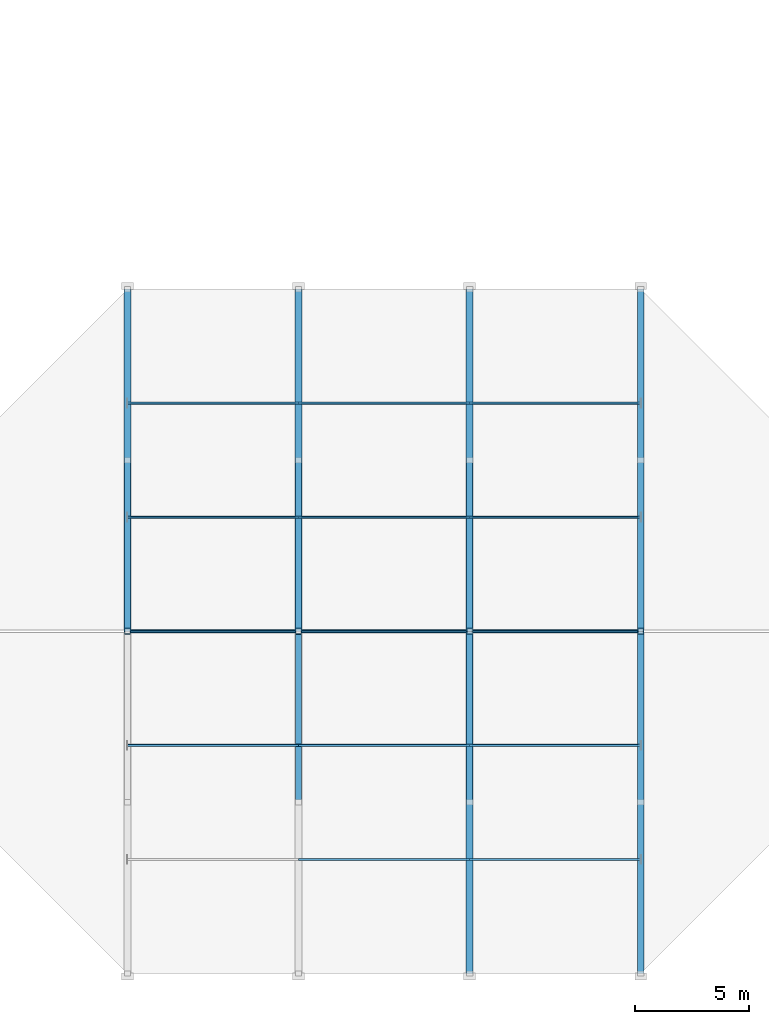
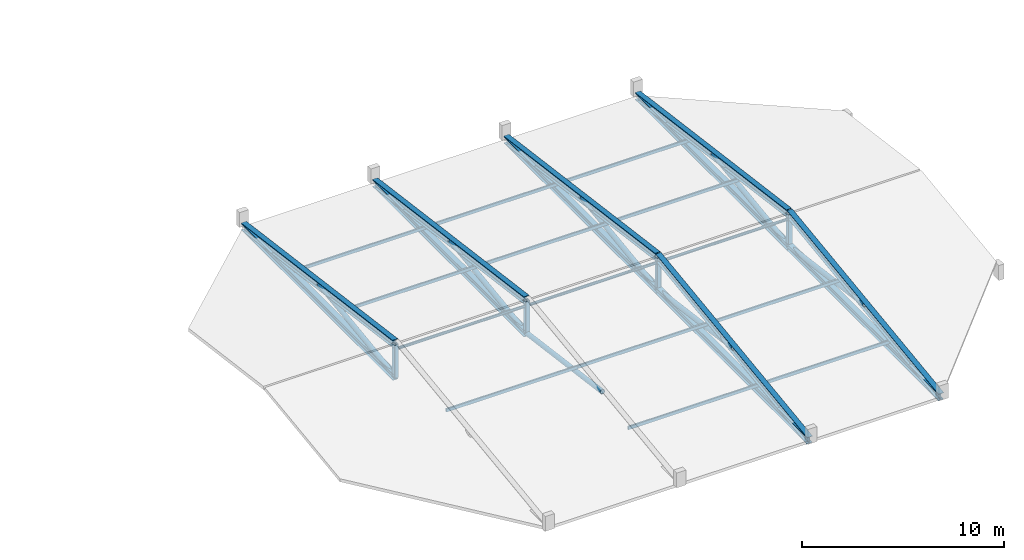
# One storey, part 56 of 101: 37 members.
"""IFC4 building model written with IfcOpenShell, lengths in metres."""

from ifc_helpers import new_model, si_unit, direction, frame, origin, origin_2d, place, context, subcontext, project, spatial, hollow_rectangle, hollow_circle, i_section, extrude, material, material_profile, profile_set, type_object, element, save


model = new_model("IFC4")

# Units and contexts
model_context = context("Model", 3, precision=1e-05, world=origin(), true_north=direction((0.0, 1.0)))
body_context = subcontext(model_context, "Body", "Model", "MODEL_VIEW")
ifc_project = project(units=[si_unit("LENGTHUNIT", "METRE"), si_unit("AREAUNIT", "SQUARE_METRE"), si_unit("VOLUMEUNIT", "CUBIC_METRE"), si_unit("PLANEANGLEUNIT", "RADIAN"), si_unit("MASSUNIT", "GRAM", prefix="KILO")], contexts=[model_context])

# Site, building, storey
site_placement = place(None, origin())
site = spatial("IfcSite", under=ifc_project, at=site_placement, CompositionType="ELEMENT")
building_placement = place(site_placement, origin())
building = spatial("IfcBuilding", under=site, at=building_placement, Name="Qasida Concert Hall", CompositionType="ELEMENT")
storey_placement = place(building_placement, frame((0.0, 0.0, 13.199951171875)))
storey = spatial("IfcBuildingStorey", under=building, at=storey_placement, Name="L03", CompositionType="ELEMENT", Elevation=13.199951171875)

# Members
ifc_material = material(Name="Steel S355J2", Category="steel")
ifc_material_profile_1 = material_profile(ifc_material, hollow_circle(Radius=0.136474609375, WallThickness=0.012451171875, at=origin_2d()), Name="CHS 273x12.5")
ifc_profile_set_1 = profile_set([ifc_material_profile_1], Name="Steel S355J2")
member_type_1 = type_object("IfcMemberType", Name="MB-BR5", PredefinedType="BRACE", material=ifc_profile_set_1)
for number, where, z_axis, x_axis, name in (
    (1, (135.0, 15.0, 0.0), (0.0, 0.991227900683, 0.132163720091), (-1.0, 0.0, 0.0), "Roof truss web V2T-007"),
    (2, (142.5, 15.0, 0.0), (0.0, -0.991227900683, 0.132163720091), (1.0, 0.0, 0.0), "Roof truss web V2T-013"),
    (3, (142.5, 15.0, 0.0), (0.0, 0.991227900683, 0.132163720091), (-1.0, 0.0, 0.0), "Roof truss web V2T-014"),
    (4, (150.0, 15.0, 0.0), (0.0, -0.991227900683, 0.132163720091), (1.0, 0.0, 0.0), "Roof truss web V2T-020"),
    (5, (150.0, 15.0, 0.0), (0.0, 0.991227900683, 0.132163720091), (-1.0, 0.0, 0.0), "Roof truss web V2T-021"),
    (6, (157.5, 15.0, 0.0), (0.0, -0.991227900683, 0.132163720091), (1.0, 0.0, 0.0), "Roof truss web V2T-027"),
    (7, (157.5, 15.0, 0.0), (0.0, 0.991227900683, 0.132163720091), (-1.0, 0.0, 0.0), "Roof truss web V2T-028"),
):
    element("IfcMember", number, at=place(storey_placement, frame(where, z_axis=z_axis, x_axis=x_axis)), inside=storey, type_object=member_type_1, Name=name, PredefinedType="BRACE", context=body_context, shape_type="SweptSolid", body=[
        extrude(hollow_circle(Radius=0.136474609375, WallThickness=0.012451171875, at=origin_2d()), origin(), (0.0, 0.0, 1.0), 7.56640625),
    ])
ifc_material_profile_2 = material_profile(ifc_material, i_section(OverallWidth=0.300048828125, OverallDepth=0.389892578125, WebThickness=0.010986328125, FlangeThickness=0.01904296875, FilletRadius=0.027099609375, at=origin_2d()), Name="HEA 400")
ifc_profile_set_2 = profile_set([ifc_material_profile_2], Name="Steel S355J2")
member_type_2 = type_object("IfcMemberType", Name="MB-CH2", PredefinedType="CHORD", material=ifc_profile_set_2)
for number, where, z_axis, x_axis, name in (
    (8, (135.0, 15.0, 0.0), (0.0, 1.0, 0.0), (-1.0, 0.0, 0.0), "Roof truss bottom chord V2T-002"),
    (9, (142.5, 15.0, 0.0), (0.0, 1.0, 0.0), (-1.0, 0.0, 0.0), "Roof truss bottom chord V2T-009"),
    (10, (150.0, 0.0, 0.0), (0.0, 1.0, 0.0), (-1.0, 0.0, 0.0), "Roof truss bottom chord V2T-015"),
    (11, (150.0, 15.0, 0.0), (0.0, 1.0, 0.0), (-1.0, 0.0, 0.0), "Roof truss bottom chord V2T-016"),
    (12, (157.5, 0.0, 0.0), (0.0, 1.0, 0.0), (-1.0, 0.0, 0.0), "Roof truss bottom chord V2T-022"),
    (13, (157.5, 15.0, 0.0), (0.0, 1.0, 0.0), (-1.0, 0.0, 0.0), "Roof truss bottom chord V2T-023"),
):
    element("IfcMember", number, at=place(storey_placement, frame(where, z_axis=z_axis, x_axis=x_axis)), inside=storey, type_object=member_type_2, Name=name, PredefinedType="CHORD", context=body_context, shape_type="SweptSolid", body=[
        extrude(i_section(OverallWidth=0.300048828125, OverallDepth=0.389892578125, WebThickness=0.010986328125, FlangeThickness=0.01904296875, FilletRadius=0.027099609375, at=origin_2d()), origin(), (0.0, 0.0, 1.0), 15.0),
    ])
ifc_material_profile_3 = material_profile(ifc_material, i_section(OverallWidth=0.300048828125, OverallDepth=0.43994140625, WebThickness=0.011474609375, FlangeThickness=0.02099609375, FilletRadius=0.027099609375, at=origin_2d()), Name="HEA 450")
ifc_profile_set_3 = profile_set([ifc_material_profile_3], Name="Steel S355J2")
member_type_3 = type_object("IfcMemberType", Name="MB-CH6", PredefinedType="CHORD", material=ifc_profile_set_3)
for number, where, z_axis, x_axis, name in (
    (14, (135.0, 15.0, 2.0), (0.0, 0.991227900683, -0.132163720091), (-1.0, 0.0, 0.0), "Roof truss top chord V2T-004"),
    (15, (142.5, 15.0, 2.0), (0.0, 0.991227900683, -0.132163720091), (-1.0, 0.0, 0.0), "Roof truss top chord V2T-011"),
    (16, (150.0, 0.0, 0.0), (0.0, 0.991227900683, 0.132163720091), (-1.0, 0.0, 0.0), "Roof truss top chord V2T-017"),
    (17, (150.0, 15.0, 2.0), (0.0, 0.991227900683, -0.132163720091), (-1.0, 0.0, 0.0), "Roof truss top chord V2T-018"),
    (18, (157.5, 0.0, 0.0), (0.0, 0.991227900683, 0.132163720091), (-1.0, 0.0, 0.0), "Roof truss top chord V2T-024"),
    (19, (157.5, 15.0, 2.0), (0.0, 0.991227900683, -0.132163720091), (-1.0, 0.0, 0.0), "Roof truss top chord V2T-025"),
):
    element("IfcMember", number, at=place(storey_placement, frame(where, z_axis=z_axis, x_axis=x_axis)), inside=storey, type_object=member_type_3, Name=name, PredefinedType="CHORD", context=body_context, shape_type="SweptSolid", body=[
        extrude(i_section(OverallWidth=0.300048828125, OverallDepth=0.43994140625, WebThickness=0.011474609375, FlangeThickness=0.02099609375, FilletRadius=0.027099609375, at=origin_2d()), origin(), (0.0, 0.0, 1.0), 15.1328125),
    ])
ifc_material_profile_4 = material_profile(ifc_material, hollow_rectangle(XDim=0.10009765625, YDim=0.199951171875, WallThickness=0.008056640625, InnerFilletRadius=0.008056640625, OuterFilletRadius=0.01611328125, at=origin_2d()), Name="RHS 200x100x8")
ifc_profile_set_4 = profile_set([ifc_material_profile_4], Name="Steel S355J2")
member_type_4 = type_object("IfcMemberType", Name="MB-PR1", PredefinedType="PURLIN", material=ifc_profile_set_4)
for number, where, z_axis, x_axis, name in (
    (20, (142.5, 5.0, 0.32666015625), (1.0, 0.0, 0.0), (0.0, 1.0, 0.0), "Chamber roof purlin V2P-030"),
    (21, (150.0, 5.0, 0.32666015625), (1.0, 0.0, 0.0), (0.0, 1.0, 0.0), "Chamber roof purlin V2P-031"),
    (22, (135.0, 10.0, 0.993408203125), (1.0, 0.0, 0.0), (0.0, 1.0, 0.0), "Chamber roof purlin V2P-032"),
    (23, (142.5, 10.0, 0.993408203125), (1.0, 0.0, 0.0), (0.0, 1.0, 0.0), "Chamber roof purlin V2P-033"),
    (24, (150.0, 10.0, 0.993408203125), (1.0, 0.0, 0.0), (0.0, 1.0, 0.0), "Chamber roof purlin V2P-034"),
    (25, (135.0, 20.0, 0.993408203125), (1.0, 0.0, 0.0), (0.0, 1.0, 0.0), "Chamber roof purlin V2P-038"),
    (26, (142.5, 20.0, 0.993408203125), (1.0, 0.0, 0.0), (0.0, 1.0, 0.0), "Chamber roof purlin V2P-039"),
    (27, (150.0, 20.0, 0.993408203125), (1.0, 0.0, 0.0), (0.0, 1.0, 0.0), "Chamber roof purlin V2P-040"),
    (28, (135.0, 25.0, 0.32666015625), (1.0, 0.0, 0.0), (0.0, 1.0, 0.0), "Chamber roof purlin V2P-041"),
    (29, (142.5, 25.0, 0.32666015625), (1.0, 0.0, 0.0), (0.0, 1.0, 0.0), "Chamber roof purlin V2P-042"),
    (30, (150.0, 25.0, 0.32666015625), (1.0, 0.0, 0.0), (0.0, 1.0, 0.0), "Chamber roof purlin V2P-043"),
):
    element("IfcMember", number, at=place(storey_placement, frame(where, z_axis=z_axis, x_axis=x_axis)), inside=storey, type_object=member_type_4, Name=name, PredefinedType="PURLIN", context=body_context, shape_type="SweptSolid", body=[
        extrude(hollow_rectangle(XDim=0.10009765625, YDim=0.199951171875, WallThickness=0.008056640625, InnerFilletRadius=0.008056640625, OuterFilletRadius=0.01611328125, at=origin_2d()), origin(), (0.0, 0.0, 1.0), 7.5),
    ])
ifc_material_profile_5 = material_profile(ifc_material, hollow_circle(Radius=0.084228515625, WallThickness=0.008056640625, at=origin_2d()), Name="CHS 168.3x8")
ifc_profile_set_5 = profile_set([ifc_material_profile_5], Name="Steel S355J2")
member_type_5 = type_object("IfcMemberType", Name="MB-PR2", PredefinedType="PURLIN", material=ifc_profile_set_5)
for number, where, z_axis, x_axis, name in (
    (31, (135.0, 15.0, 1.66015625), (1.0, 0.0, 0.0), (0.0, 1.0, 0.0), "Chamber roof purlin V2P-035"),
    (32, (142.5, 15.0, 1.66015625), (1.0, 0.0, 0.0), (0.0, 1.0, 0.0), "Chamber roof purlin V2P-036"),
    (33, (150.0, 15.0, 1.66015625), (1.0, 0.0, 0.0), (0.0, 1.0, 0.0), "Chamber roof purlin V2P-037"),
):
    element("IfcMember", number, at=place(storey_placement, frame(where, z_axis=z_axis, x_axis=x_axis)), inside=storey, type_object=member_type_5, Name=name, PredefinedType="PURLIN", context=body_context, shape_type="SweptSolid", body=[
        extrude(hollow_circle(Radius=0.084228515625, WallThickness=0.008056640625, at=origin_2d()), origin(), (0.0, 0.0, 1.0), 7.5),
    ])
ifc_material_profile_6 = material_profile(ifc_material, hollow_rectangle(XDim=0.25, YDim=0.25, WallThickness=0.012451171875, InnerFilletRadius=0.012451171875, OuterFilletRadius=0.02490234375, at=origin_2d()), Name="SHS 250x250x12.5")
ifc_profile_set_6 = profile_set([ifc_material_profile_6], Name="Steel S355J2")
member_type_6 = type_object("IfcMemberType", Name="MB-ST5", PredefinedType="STRUT", material=ifc_profile_set_6)
for number, where, z_axis, x_axis, name in (
    (34, (135.0, 15.0, 0.0), (0.0, 0.0, 1.0), (1.0, 0.0, 0.0), "Roof truss king post V2T-005"),
    (35, (142.5, 15.0, 0.0), (0.0, 0.0, 1.0), (1.0, 0.0, 0.0), "Roof truss king post V2T-012"),
    (36, (150.0, 15.0, 0.0), (0.0, 0.0, 1.0), (1.0, 0.0, 0.0), "Roof truss king post V2T-019"),
    (37, (157.5, 15.0, 0.0), (0.0, 0.0, 1.0), (1.0, 0.0, 0.0), "Roof truss king post V2T-026"),
):
    element("IfcMember", number, at=place(storey_placement, frame(where, z_axis=z_axis, x_axis=x_axis)), inside=storey, type_object=member_type_6, Name=name, PredefinedType="STRUT", context=body_context, shape_type="SweptSolid", body=[
        extrude(hollow_rectangle(XDim=0.25, YDim=0.25, WallThickness=0.012451171875, InnerFilletRadius=0.012451171875, OuterFilletRadius=0.02490234375, at=origin_2d()), origin(), (0.0, 0.0, 1.0), 2.0),
    ])

save(model, "model.ifc")
